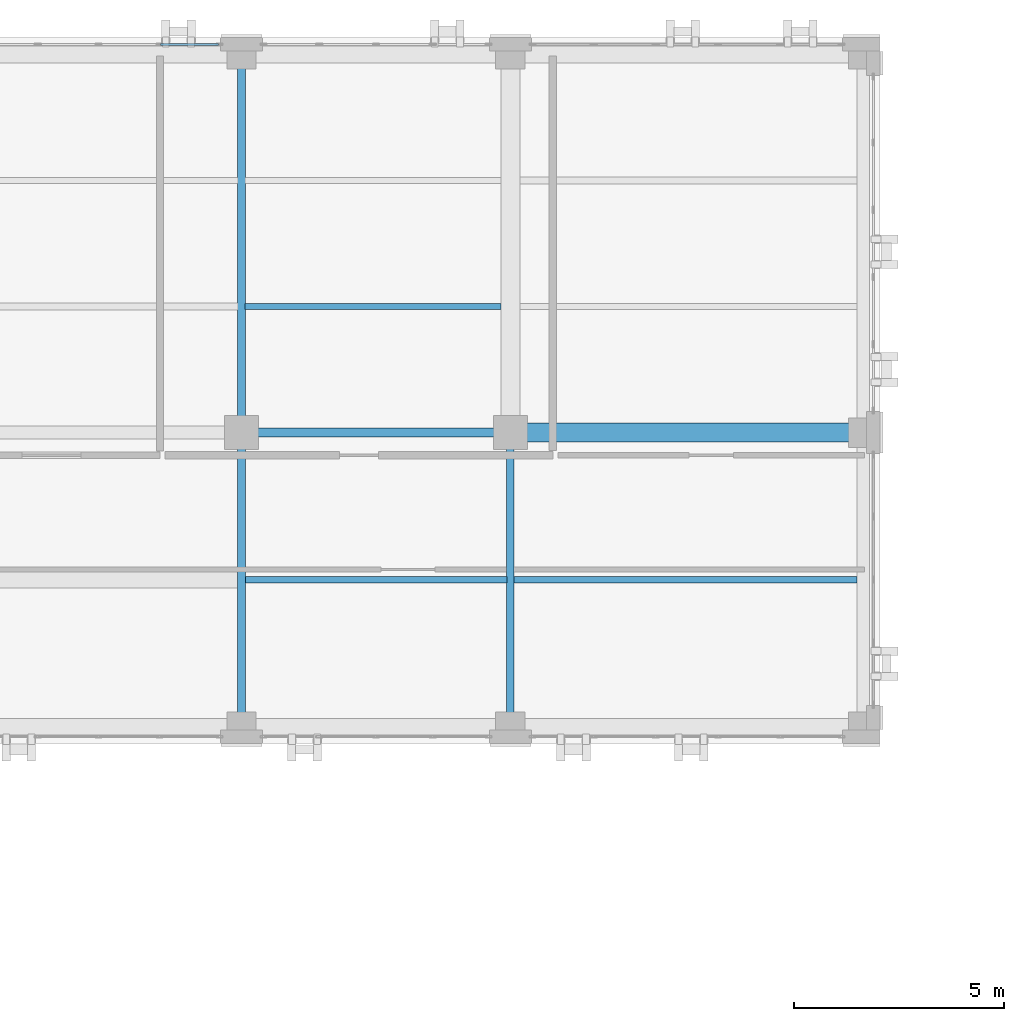
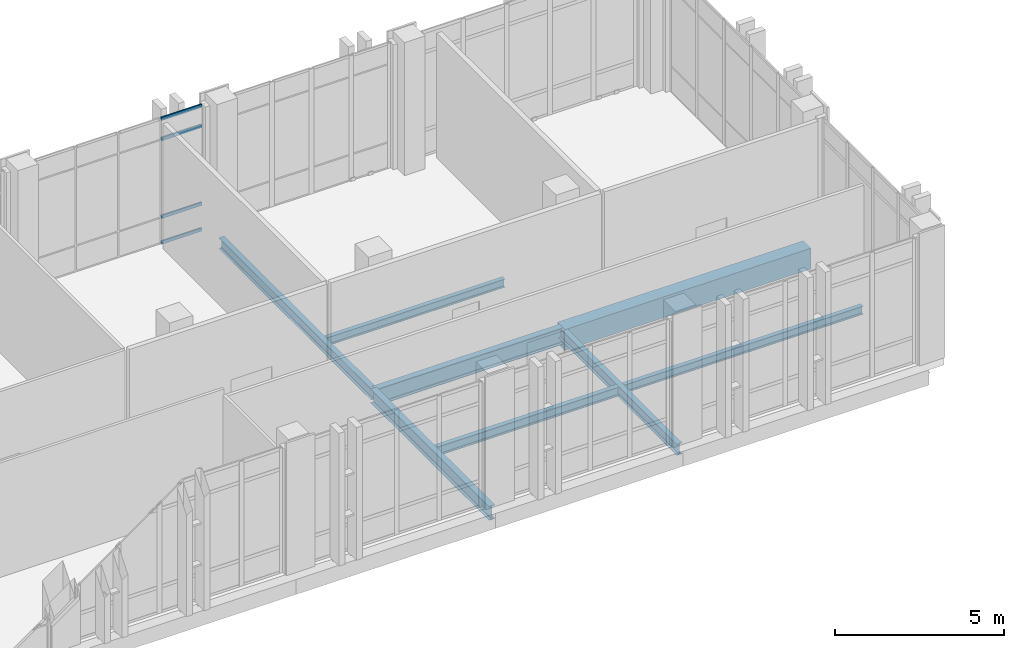
# One storey, part 96 of 189: 8 beams, 4 members, 1 element without a shape of its own.
"""IFC4 building model written with IfcOpenShell, lengths in metres."""

from ifc_helpers import new_model, si_unit, direction, frame, origin, origin_2d, place, context, subcontext, project, spatial, rectangle, hollow_rectangle, i_section, extrude, material, layer, layer_set, material_profile, profile_set, type_object, element, aggregate, save


model = new_model("IFC4")

# Units and contexts
model_context = context("Model", 3, precision=1e-05, world=origin(), true_north=direction((0.0, 1.0)))
body_context = subcontext(model_context, "Body", "Model", "MODEL_VIEW")
ifc_project = project(units=[si_unit("LENGTHUNIT", "METRE"), si_unit("AREAUNIT", "SQUARE_METRE"), si_unit("VOLUMEUNIT", "CUBIC_METRE"), si_unit("PLANEANGLEUNIT", "RADIAN"), si_unit("MASSUNIT", "GRAM", prefix="KILO")], contexts=[model_context])

# Site, building, storey
site_placement = place(None, origin())
site = spatial("IfcSite", under=ifc_project, at=site_placement, CompositionType="ELEMENT")
building_placement = place(site_placement, origin())
building = spatial("IfcBuilding", under=site, at=building_placement, Name="Qalavern Law Courts", CompositionType="ELEMENT")
storey_placement = place(building_placement, frame((0.0, 0.0, 5.39990234375)))
storey = spatial("IfcBuildingStorey", under=building, at=storey_placement, Name="L01", CompositionType="ELEMENT", Elevation=5.39990234375)

# Curtain wall, members
ifc_material_1 = material(Name="Anodised aluminium and insulated glazing", Category="aluminium")
ifc_layer = layer(ifc_material_1, 0.166015625)
ifc_layer_set = layer_set([ifc_layer], Name="Anodised aluminium and insulated glazing")
curtain_wall_type = type_object("IfcCurtainWallType", Name="ENV-CW-LIB", PredefinedType="USERDEFINED", material=ifc_layer_set)
curtain_wall_placement = place(storey_placement, origin())
curtain_wall = element("IfcCurtainWall", 1, at=curtain_wall_placement, inside=storey, type_object=curtain_wall_type, Name="V5 unitised curtain wall L01 north 3", ObjectType="UNITISED CURTAIN WALL", PredefinedType="USERDEFINED")
ifc_material_2 = material(Name="Anodised aluminium", Category="aluminium")
ifc_material_profile_1 = material_profile(ifc_material_2, hollow_rectangle(XDim=0.048095703125, YDim=0.1201171875, WallThickness=0.00390625, at=origin_2d()), Name="ALU TRANSOM 48x120")
ifc_profile_set_1 = profile_set([ifc_material_profile_1], Name="Anodised aluminium")
member_type = type_object("IfcMemberType", Name="ENV-CWT-48x120", PredefinedType="USERDEFINED", material=ifc_profile_set_1)
member_1_placement = place(storey_placement, frame((51.052001953125, 112.83740234375, 0.024169921875), z_axis=(-1.0, 0.0, 0.0), x_axis=(0.0, -1.0, 0.0)))
member_1 = element("IfcMember", 2, at=member_1_placement, type_object=member_type, Name="CW-05 transom 1.1", ObjectType="TRANSOM", PredefinedType="USERDEFINED", context=body_context, shape_type="SweptSolid", body=[
    extrude(hollow_rectangle(XDim=0.048095703125, YDim=0.1201171875, WallThickness=0.00390625, at=origin_2d()), origin(), (0.0, 0.0, 1.0), 1.3779296875),
])
member_2_placement = place(storey_placement, frame((51.052001953125, 112.83740234375, 0.9501953125), z_axis=(-1.0, 0.0, 0.0), x_axis=(0.0, -1.0, 0.0)))
member_2 = element("IfcMember", 3, at=member_2_placement, type_object=member_type, Name="CW-05 transom 1.2", ObjectType="TRANSOM", PredefinedType="USERDEFINED", context=body_context, shape_type="SweptSolid", body=[
    extrude(hollow_rectangle(XDim=0.048095703125, YDim=0.1201171875, WallThickness=0.00390625, at=origin_2d()), origin(), (0.0, 0.0, 1.0), 1.3779296875),
])
member_3_placement = place(storey_placement, frame((51.052001953125, 112.83740234375, 3.760009765625), z_axis=(-1.0, 0.0, 0.0), x_axis=(0.0, -1.0, 0.0)))
member_3 = element("IfcMember", 4, at=member_3_placement, type_object=member_type, Name="CW-05 transom 1.3", ObjectType="TRANSOM", PredefinedType="USERDEFINED", context=body_context, shape_type="SweptSolid", body=[
    extrude(hollow_rectangle(XDim=0.048095703125, YDim=0.1201171875, WallThickness=0.00390625, at=origin_2d()), origin(), (0.0, 0.0, 1.0), 1.3779296875),
])
member_4_placement = place(storey_placement, frame((51.052001953125, 112.83740234375, 4.486083984375), z_axis=(-1.0, 0.0, 0.0), x_axis=(0.0, -1.0, 0.0)))
member_4 = element("IfcMember", 5, at=member_4_placement, type_object=member_type, Name="CW-05 transom 1.4", ObjectType="TRANSOM", PredefinedType="USERDEFINED", context=body_context, shape_type="SweptSolid", body=[
    extrude(hollow_rectangle(XDim=0.048095703125, YDim=0.1201171875, WallThickness=0.00390625, at=origin_2d()), origin(), (0.0, 0.0, 1.0), 1.3779296875),
])
aggregate(curtain_wall, [member_1, member_2, member_3, member_4])

# Beams
ifc_material_3 = material(Name="Steel S355", Category="steel")
ifc_material_profile_2 = material_profile(ifc_material_3, i_section(OverallWidth=0.179931640625, OverallDepth=0.39990234375, WebThickness=0.008544921875, FlangeThickness=0.013427734375, FilletRadius=0.02099609375, at=origin_2d()), Name="IPE 400")
ifc_profile_set_2 = profile_set([ifc_material_profile_2], Name="Steel S355")
beam_type_1 = type_object("IfcBeamType", Name="STR-BM-IPE400", PredefinedType="BEAM", material=ifc_profile_set_2)
beam_1_placement = place(storey_placement, frame((51.60009765625, 103.60009765625, -0.5), z_axis=(0.0, 1.0, 0.0), x_axis=(-1.0, 0.0, 0.0)))
element("IfcBeam", 6, at=beam_1_placement, inside=storey, type_object=beam_type_1, Name="V5 Y-beam 7-2 L01", PredefinedType="BEAM", context=body_context, shape_type="SweptSolid", body=[
    extrude(i_section(OverallWidth=0.179931640625, OverallDepth=0.39990234375, WebThickness=0.008544921875, FlangeThickness=0.013427734375, FilletRadius=0.02099609375, at=origin_2d()), origin(), (0.0, 0.0, 1.0), 9.0),
])
beam_2_placement = place(storey_placement, frame((58.0, 96.60009765625, -0.5), z_axis=(0.0, 1.0, 0.0), x_axis=(-1.0, 0.0, 0.0)))
element("IfcBeam", 7, at=beam_2_placement, inside=storey, type_object=beam_type_1, Name="V5 Y-beam 8-1 L01", PredefinedType="BEAM", context=body_context, shape_type="SweptSolid", body=[
    extrude(i_section(OverallWidth=0.179931640625, OverallDepth=0.39990234375, WebThickness=0.008544921875, FlangeThickness=0.013427734375, FilletRadius=0.02099609375, at=origin_2d()), origin(), (0.0, 0.0, 1.0), 7.0),
])
ifc_material_profile_3 = material_profile(ifc_material_3, i_section(OverallWidth=0.199951171875, OverallDepth=0.5, WebThickness=0.01025390625, FlangeThickness=0.01611328125, FilletRadius=0.02099609375, at=origin_2d()), Name="IPE 500")
ifc_profile_set_3 = profile_set([ifc_material_profile_3], Name="Steel S355")
beam_type_2 = type_object("IfcBeamType", Name="STR-BM-IPE500", PredefinedType="BEAM", material=ifc_profile_set_3)
beam_3_placement = place(storey_placement, frame((51.60009765625, 96.60009765625, -0.5498046875), z_axis=(0.0, 1.0, 0.0), x_axis=(-1.0, 0.0, 0.0)))
element("IfcBeam", 8, at=beam_3_placement, inside=storey, type_object=beam_type_2, Name="V5 Y-beam 7-1 L01", PredefinedType="BEAM", context=body_context, shape_type="SweptSolid", body=[
    extrude(i_section(OverallWidth=0.199951171875, OverallDepth=0.5, WebThickness=0.01025390625, FlangeThickness=0.01611328125, FilletRadius=0.02099609375, at=origin_2d()), origin(), (0.0, 0.0, 1.0), 7.0),
])
ifc_material_profile_4 = material_profile(ifc_material_3, i_section(OverallWidth=0.219970703125, OverallDepth=0.60009765625, WebThickness=0.011962890625, FlangeThickness=0.01904296875, FilletRadius=0.02392578125, at=origin_2d()), Name="IPE 600")
ifc_profile_set_4 = profile_set([ifc_material_profile_4], Name="Steel S355")
beam_type_3 = type_object("IfcBeamType", Name="STR-BM-IPE600", PredefinedType="BEAM", material=ifc_profile_set_4)
beam_4_placement = place(storey_placement, frame((51.60009765625, 103.60009765625, -0.599853515625), z_axis=(1.0, 0.0, 0.0), x_axis=(0.0, 1.0, 0.0)))
element("IfcBeam", 9, at=beam_4_placement, inside=storey, type_object=beam_type_3, Name="V5 X-beam 2-7 L01", PredefinedType="BEAM", context=body_context, shape_type="SweptSolid", body=[
    extrude(i_section(OverallWidth=0.219970703125, OverallDepth=0.60009765625, WebThickness=0.011962890625, FlangeThickness=0.01904296875, FilletRadius=0.02392578125, at=origin_2d()), origin(), (0.0, 0.0, 1.0), 6.39990234375),
])
ifc_material_4 = material(Name="Concrete C40/50", Category="concrete")
ifc_material_profile_5 = material_profile(ifc_material_4, rectangle(XDim=0.449951171875, YDim=0.75, at=origin_2d()), Name="RC 450x750")
ifc_profile_set_5 = profile_set([ifc_material_profile_5], Name="Concrete C40/50")
beam_type_4 = type_object("IfcBeamType", Name="STR-BM-RC450x750", PredefinedType="BEAM", material=ifc_profile_set_5)
beam_5_placement = place(storey_placement, frame((58.0, 103.60009765625, -0.6748046875), z_axis=(1.0, 0.0, 0.0), x_axis=(0.0, 1.0, 0.0)))
element("IfcBeam", 10, at=beam_5_placement, inside=storey, type_object=beam_type_4, Name="V5 X-beam 2-8 L01", PredefinedType="BEAM", context=body_context, shape_type="SweptSolid", body=[
    extrude(rectangle(XDim=0.449951171875, YDim=0.75, at=origin_2d()), origin(), (0.0, 0.0, 1.0), 8.39990234375),
])
ifc_material_profile_6 = material_profile(ifc_material_3, i_section(OverallWidth=0.14990234375, OverallDepth=0.300048828125, WebThickness=0.007080078125, FlangeThickness=0.0107421875, FilletRadius=0.014892578125, at=origin_2d()), Name="IPE 300")
ifc_profile_set_6 = profile_set([ifc_material_profile_6], Name="Steel S355")
beam_type_5 = type_object("IfcBeamType", Name="STR-JST-IPE300", PredefinedType="JOIST", material=ifc_profile_set_6)
beam_6_placement = place(storey_placement, frame((51.68798828125, 106.60009765625, -0.449951171875), z_axis=(1.0, 0.0, 0.0), x_axis=(0.0, 1.0, 0.0)))
element("IfcBeam", 11, at=beam_6_placement, inside=storey, type_object=beam_type_5, Name="V5 secondary joist 7.2.1 L01", PredefinedType="JOIST", context=body_context, shape_type="SweptSolid", body=[
    extrude(i_section(OverallWidth=0.14990234375, OverallDepth=0.300048828125, WebThickness=0.007080078125, FlangeThickness=0.0107421875, FilletRadius=0.014892578125, at=origin_2d()), origin(), (0.0, 0.0, 1.0), 6.089111328125),
])
beam_7_placement = place(storey_placement, frame((58.087890625, 100.10009765625, -0.449951171875), z_axis=(1.0, 0.0, 0.0), x_axis=(0.0, 1.0, 0.0)))
element("IfcBeam", 12, at=beam_7_placement, inside=storey, type_object=beam_type_5, Name="V5 secondary joist 8.1.1 L01", PredefinedType="JOIST", context=body_context, shape_type="SweptSolid", body=[
    extrude(i_section(OverallWidth=0.14990234375, OverallDepth=0.300048828125, WebThickness=0.007080078125, FlangeThickness=0.0107421875, FilletRadius=0.014892578125, at=origin_2d()), origin(), (0.0, 0.0, 1.0), 8.1640625),
])
ifc_material_profile_7 = material_profile(ifc_material_3, i_section(OverallWidth=0.159912109375, OverallDepth=0.330078125, WebThickness=0.007568359375, FlangeThickness=0.011474609375, FilletRadius=0.01806640625, at=origin_2d()), Name="IPE 330")
ifc_profile_set_7 = profile_set([ifc_material_profile_7], Name="Steel S355")
beam_type_6 = type_object("IfcBeamType", Name="STR-JST-IPE330", PredefinedType="JOIST", material=ifc_profile_set_7)
beam_8_placement = place(storey_placement, frame((51.697998046875, 100.10009765625, -0.46484375), z_axis=(1.0, 0.0, 0.0), x_axis=(0.0, 1.0, 0.0)))
element("IfcBeam", 13, at=beam_8_placement, inside=storey, type_object=beam_type_6, Name="V5 secondary joist 7.1.1 L01", PredefinedType="JOIST", context=body_context, shape_type="SweptSolid", body=[
    extrude(i_section(OverallWidth=0.159912109375, OverallDepth=0.330078125, WebThickness=0.007568359375, FlangeThickness=0.011474609375, FilletRadius=0.01806640625, at=origin_2d()), origin(), (0.0, 0.0, 1.0), 6.214111328125),
])

save(model, "model.ifc")
